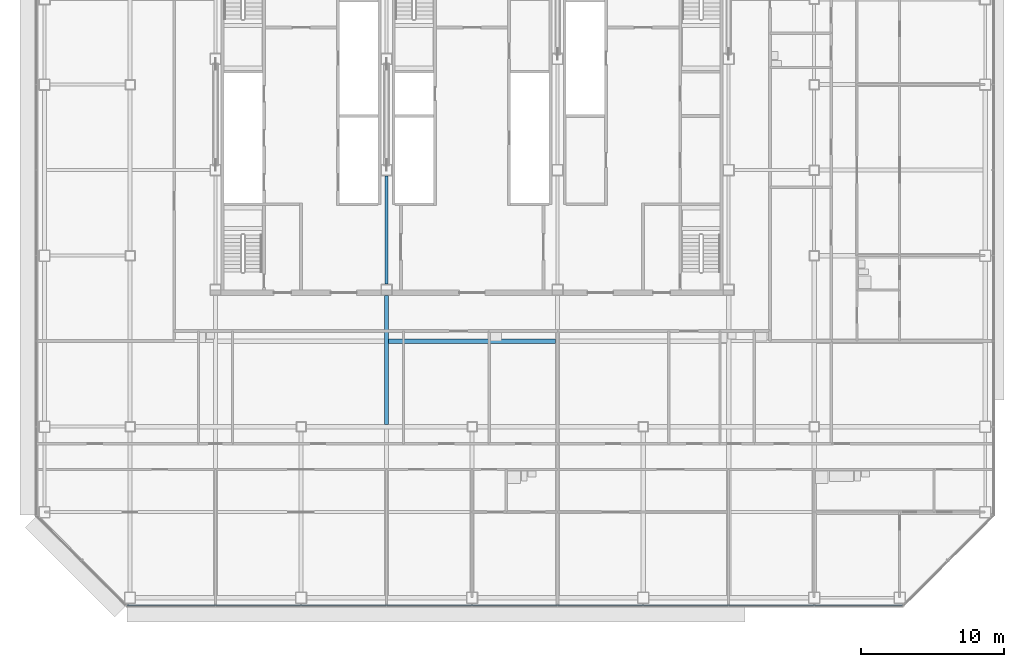
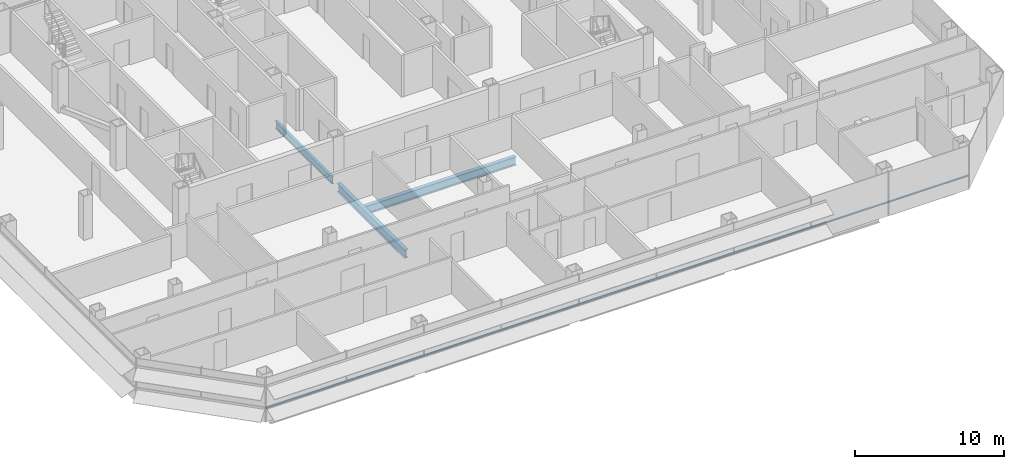
# One storey, part 7 of 25: 3 beams, 1 member, 1 element without a shape of its own.
"""IFC4 building model written with IfcOpenShell, lengths in metres."""

from ifc_helpers import new_model, si_unit, direction, frame, origin, origin_2d, place, context, subcontext, project, spatial, rectangle, i_section, extrude, material, material_profile, profile_set, type_object, element, aggregate, save


model = new_model("IFC4")

# Units and contexts
model_context = context("Model", 3, precision=1e-05, world=origin(), true_north=direction((0.0, 1.0)))
body_context = subcontext(model_context, "Body", "Model", "MODEL_VIEW")
ifc_project = project(units=[si_unit("LENGTHUNIT", "METRE"), si_unit("AREAUNIT", "SQUARE_METRE"), si_unit("VOLUMEUNIT", "CUBIC_METRE"), si_unit("PLANEANGLEUNIT", "RADIAN"), si_unit("MASSUNIT", "GRAM", prefix="KILO")], contexts=[model_context])

# Site, building, storey
site_placement = place(None, origin())
site = spatial("IfcSite", under=ifc_project, at=site_placement, CompositionType="ELEMENT")
building_placement = place(site_placement, origin())
building = spatial("IfcBuilding", under=site, at=building_placement, Name="Sorahane Residences", CompositionType="ELEMENT")
storey_placement = place(building_placement, frame((0.0, 0.0, 130.39990234375)))
storey = spatial("IfcBuildingStorey", under=building, at=storey_placement, Name="L29", CompositionType="ELEMENT", Elevation=130.39990234375)

# Curtain wall, member
ifc_material_1 = material(Name="Dark low-e glass and black anodised aluminium", Category="aluminium")
curtain_wall_type = type_object("IfcCurtainWallType", Name="Curtain wall CW-1 Typical unitised wall", PredefinedType="NOTDEFINED", material=ifc_material_1)
curtain_wall_placement = place(storey_placement, origin())
curtain_wall = element("IfcCurtainWall", 1, at=curtain_wall_placement, inside=storey, type_object=curtain_wall_type, Name="CW-1 curtain wall L29 S1", PredefinedType="NOTDEFINED")
ifc_material_2 = material(Name="Black anodised aluminium", Category="aluminium")
ifc_material_profile_1 = material_profile(ifc_material_2, rectangle(XDim=0.10009765625, YDim=0.06005859375, at=origin_2d()), Name="Curtain wall transom CW-1 black anodised aluminium 60x100")
ifc_profile_set_1 = profile_set([ifc_material_profile_1], Name="Black anodised aluminium")
member_type = type_object("IfcMemberType", Name="Curtain wall transom CW-1 black anodised aluminium 60x100", PredefinedType="USERDEFINED", material=ifc_profile_set_1)
member_placement = place(storey_placement, frame((-0.198486328125, -0.530029296875, 0.900146484375), z_axis=(1.0, 0.0, 0.0), x_axis=(0.0, 1.0, 0.0)))
member = element("IfcMember", 2, at=member_placement, type_object=member_type, Name="CW-1 transom L29 S1", ObjectType="TRANSOM", PredefinedType="USERDEFINED", context=body_context, shape_type="SweptSolid", body=[
    extrude(rectangle(XDim=0.10009765625, YDim=0.06005859375, at=origin_2d()), origin(), (0.0, 0.0, 1.0), 54.39697265625),
])
aggregate(curtain_wall, [member])

# Beams
ifc_material_3 = material(Name="Steel Q355B", Category="steel")
ifc_material_profile_2 = material_profile(ifc_material_3, i_section(OverallWidth=0.199951171875, OverallDepth=0.60009765625, WebThickness=0.010986328125, FlangeThickness=0.01708984375, FilletRadius=0.02392578125, at=origin_2d()), Name="HN 600x200x11x17")
ifc_profile_set_2 = profile_set([ifc_material_profile_2], Name="Steel Q355B")
beam_type_1 = type_object("IfcBeamType", Name="Steel floor beam HN 600x200x11x17 Q355B", PredefinedType="BEAM", material=ifc_profile_set_2)
beam_1_placement = place(storey_placement, frame((18.0, 22.0, -0.47998046875), z_axis=(0.0, 1.0, 0.0), x_axis=(-1.0, 0.0, 0.0)))
element("IfcBeam", 3, at=beam_1_placement, inside=storey, type_object=beam_type_1, Name="Beam L29 038", PredefinedType="BEAM", context=body_context, shape_type="SweptSolid", body=[
    extrude(i_section(OverallWidth=0.199951171875, OverallDepth=0.60009765625, WebThickness=0.010986328125, FlangeThickness=0.01708984375, FilletRadius=0.02392578125, at=origin_2d()), origin(), (0.0, 0.0, 1.0), 7.60009765625),
])
ifc_material_4 = material(Name="Steel Q355B", Category="steel")
ifc_material_profile_3 = material_profile(ifc_material_4, i_section(OverallWidth=0.300048828125, OverallDepth=0.699951171875, WebThickness=0.012939453125, FlangeThickness=0.02392578125, FilletRadius=0.028076171875, at=origin_2d()), Name="HN 700x300x13x24")
ifc_profile_set_3 = profile_set([ifc_material_profile_3], Name="Steel Q355B")
beam_type_2 = type_object("IfcBeamType", Name="Steel floor beam HN 700x300x13x24 Q355B", PredefinedType="BEAM", material=ifc_profile_set_3)
beam_2_placement = place(storey_placement, frame((18.0, 12.14990234375, -0.52978515625), z_axis=(0.0, 1.0, 0.0), x_axis=(-1.0, 0.0, 0.0)))
element("IfcBeam", 4, at=beam_2_placement, inside=storey, type_object=beam_type_2, Name="Beam L29 037", PredefinedType="BEAM", context=body_context, shape_type="SweptSolid", body=[
    extrude(i_section(OverallWidth=0.300048828125, OverallDepth=0.699951171875, WebThickness=0.012939453125, FlangeThickness=0.02392578125, FilletRadius=0.028076171875, at=origin_2d()), origin(), (0.0, 0.0, 1.0), 9.050048828125),
])
beam_3_placement = place(storey_placement, frame((18.14990234375, 18.0, -0.52978515625), z_axis=(1.0, 0.0, 0.0), x_axis=(0.0, 1.0, 0.0)))
element("IfcBeam", 5, at=beam_3_placement, inside=storey, type_object=beam_type_2, Name="Beam L29 081", PredefinedType="BEAM", context=body_context, shape_type="SweptSolid", body=[
    extrude(i_section(OverallWidth=0.300048828125, OverallDepth=0.699951171875, WebThickness=0.012939453125, FlangeThickness=0.02392578125, FilletRadius=0.028076171875, at=origin_2d()), origin(), (0.0, 0.0, 1.0), 11.7001953125),
])

save(model, "model.ifc")
